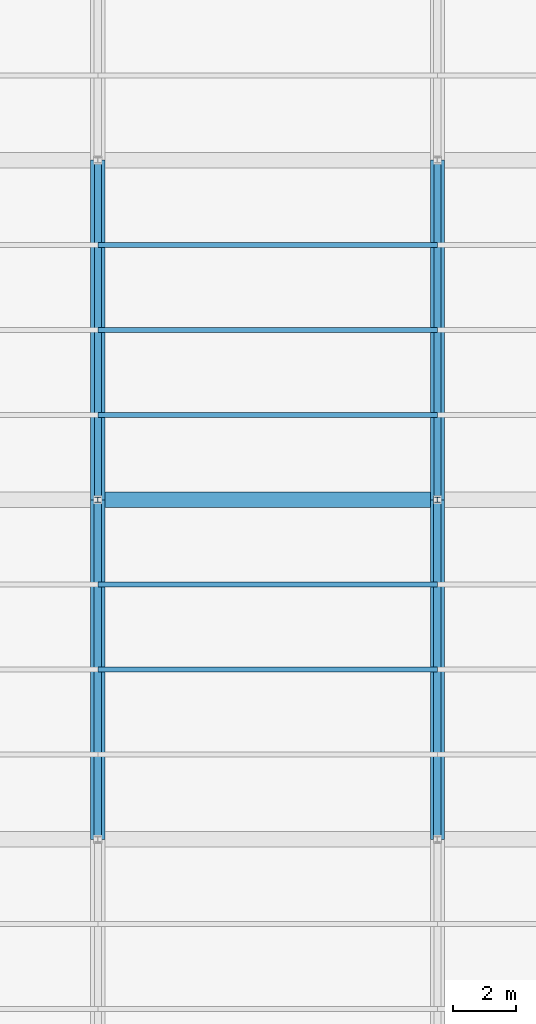
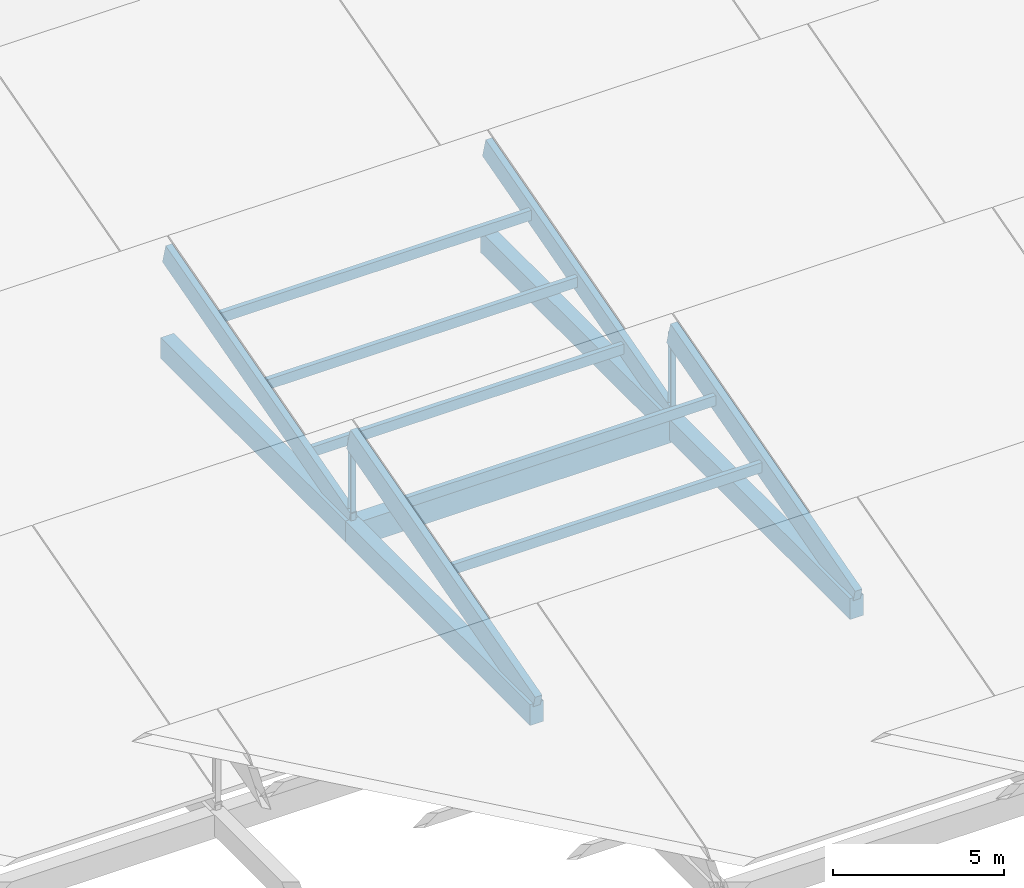
# One storey, part 28 of 112: 11 members, 5 beams.
"""IFC4 building model written with IfcOpenShell, lengths in metres."""

import ifcopenshell
import ifcopenshell.guid

model = None  # the IFC model being written
_history = None  # IfcOwnerHistory: only IFC2X3 demands one
_inside = {}  # id of a spatial element -> (the spatial element, [elements in it])
_under = {}  # id of a project, library or spatial element -> (it, [spatial elements below it])
_declared = {}  # id of a project -> (the project, [libraries it declares])
_typed = {}  # id of a type object -> (the type object, [elements of that type])
_made_of = {}  # id of a material, layer set ... -> (it, [elements and type objects made of it])


def new_model(schema):
    """Start an empty IFC model of exactly this schema.

    Asked for "IFC4X3", IfcOpenShell would pick the latest addendum, in which some entities
    have other attributes; the version numbers below select the first issue.
    IFC2X3 requires an IfcOwnerHistory on every rooted entity: one is made here for all.
    """
    global model, _history
    if schema == "IFC4X3":
        model = ifcopenshell.file(schema_version=(4, 3, 0, 0))
    else:
        model = ifcopenshell.file(schema=schema)
    _inside.clear()
    _under.clear()
    _declared.clear()
    _typed.clear()
    _made_of.clear()
    _history = None
    if model.schema == "IFC2X3":
        org = make("IfcOrganization", Name="unknown")
        user = make(
            "IfcPersonAndOrganization",
            ThePerson=make("IfcPerson", FamilyName="unknown"),
            TheOrganization=org,
        )
        app = make(
            "IfcApplication",
            ApplicationDeveloper=org,
            Version="unknown",
            ApplicationFullName="unknown",
            ApplicationIdentifier="unknown",
        )
        _history = make(
            "IfcOwnerHistory",
            OwningUser=user,
            OwningApplication=app,
            ChangeAction="ADDED",
            CreationDate=0,
        )
    return model


def make(cls, **values):
    """One entity of the class cls with the attributes given. An attribute that is None is left unset."""
    return model.create_entity(
        cls, **{name: value for name, value in values.items() if value is not None}
    )


def rooted(cls, **values):
    """An entity with a GlobalId (a new one), such as an element, a storey or a relation."""
    return make(cls, GlobalId=ifcopenshell.guid.new(), OwnerHistory=_history, **values)


def si_unit(unit_type, name, prefix=None):
    """IfcSIUnit, for example si_unit("LENGTHUNIT", "METRE", prefix="MILLI")."""
    return make("IfcSIUnit", UnitType=unit_type, Prefix=prefix, Name=name)


def assignment(units):
    """IfcUnitAssignment: the units of a project."""
    return None if units is None else make("IfcUnitAssignment", Units=units)


def point(xyz):
    """IfcCartesianPoint."""
    return None if xyz is None else make("IfcCartesianPoint", Coordinates=xyz)


def direction(xyz):
    """IfcDirection."""
    return None if xyz is None else make("IfcDirection", DirectionRatios=xyz)


def frame(location, z_axis=None, x_axis=None):
    """IfcAxis2Placement3D, a coordinate frame: its origin and axes. An axis left out is left unset."""
    return make(
        "IfcAxis2Placement3D",
        Location=point(location),
        Axis=direction(z_axis),
        RefDirection=direction(x_axis),
    )


def frame_2d(location, x_axis=None):
    """IfcAxis2Placement2D, a coordinate frame in the plane: its origin and x axis."""
    return make(
        "IfcAxis2Placement2D", Location=point(location), RefDirection=direction(x_axis)
    )


def origin():
    """The frame at (0, 0, 0) with its axes left unset."""
    return frame((0.0, 0.0, 0.0))


def origin_2d():
    """The frame at (0, 0) in the plane with its x axis left unset."""
    return frame_2d((0.0, 0.0))


def place(relative_to, where):
    """IfcLocalPlacement: puts the frame where relative to a parent placement (None: the world)."""
    return make(
        "IfcLocalPlacement", PlacementRelTo=relative_to, RelativePlacement=where
    )


def context(
    kind, dimensions, precision=None, world=None, true_north=None, identifier=None
):
    """IfcGeometricRepresentationContext, for example the 3D "Model" context."""
    return make(
        "IfcGeometricRepresentationContext",
        ContextIdentifier=identifier,
        ContextType=kind,
        CoordinateSpaceDimension=dimensions,
        Precision=precision,
        WorldCoordinateSystem=world,
        TrueNorth=true_north,
    )


def subcontext(parent, identifier, kind, view, scale=None):
    """IfcGeometricRepresentationSubContext, for example "Body" below "Model"."""
    return make(
        "IfcGeometricRepresentationSubContext",
        ContextIdentifier=identifier,
        ContextType=kind,
        ParentContext=parent,
        TargetScale=scale,
        TargetView=view,
    )


def project(units=None, contexts=None):
    """IfcProject with its units and contexts."""
    return rooted(
        "IfcProject",
        Name="project",
        RepresentationContexts=contexts,
        UnitsInContext=assignment(units),
    )


def spatial(cls, under=None, at=None, **own):
    """A site, building, storey or space (cls), placed at a placement, below another one or the project."""
    s = rooted(cls, ObjectPlacement=at, **own)
    if under is not None:
        _under.setdefault(under.id(), (under, []))[1].append(s)
    return s


def profile(cls, at=None, kind="AREA", **sizes):
    """A parametric profile (cls). Its sizes go by their IFC names, for example OverallWidth=200.0."""
    return make(cls, ProfileType=kind, Position=at, **sizes)


def rectangle(**sizes):
    """IfcRectangleProfileDef."""
    return profile("IfcRectangleProfileDef", **sizes)


def i_section(**sizes):
    """IfcIShapeProfileDef."""
    return profile("IfcIShapeProfileDef", **sizes)


def extrude(swept, where, along, depth):
    """IfcExtrudedAreaSolid: the profile swept, set in the frame where, extruded along a direction by depth."""
    return make(
        "IfcExtrudedAreaSolid",
        SweptArea=swept,
        Position=where,
        ExtrudedDirection=direction(along),
        Depth=depth,
    )


def shape(context_of_items, identifier, shape_type, items):
    """IfcShapeRepresentation: the items that make up one representation, for example the "Body"."""
    return make(
        "IfcShapeRepresentation",
        ContextOfItems=context_of_items,
        RepresentationIdentifier=identifier,
        RepresentationType=shape_type,
        Items=items,
    )


def material(Name=None, Category=None):
    """IfcMaterial."""
    return make("IfcMaterial", Name=Name, Category=Category)


def material_profile(
    of_material, cross_section, Name=None, Category=None, Priority=None
):
    """IfcMaterialProfile: a cross section and its material."""
    return make(
        "IfcMaterialProfile",
        Name=Name,
        Material=of_material,
        Profile=cross_section,
        Priority=Priority,
        Category=Category,
    )


def profile_set(profiles, Name=None, composite=None):
    """IfcMaterialProfileSet."""
    return make(
        "IfcMaterialProfileSet",
        Name=Name,
        MaterialProfiles=profiles,
        CompositeProfile=composite,
    )


def made_of(thing, what):
    """Note that an element or type object is made of a material, layer set ...; save() writes the relation."""
    if what is not None:
        _made_of.setdefault(what.id(), (what, []))[1].append(thing)
    return thing


def type_object(cls, material=None, **own):
    """A type object (cls), such as IfcWallType, which elements share."""
    return made_of(rooted(cls, **own), material)


def element(
    cls,
    number,
    at=None,
    inside=None,
    cuts=None,
    type_object=None,
    material=None,
    context=None,
    identifier="Body",
    shape_type=None,
    held_by="IfcProductDefinitionShape",
    body=None,
    shapes=None,
    **own,
):
    """One element of the class cls, such as IfcWall. Its Tag is "e" and its number.

    at: its placement. inside: the storey or other place that contains it. cuts: it is an
    opening in that element (IfcRelVoidsElement). A single representation is given by context,
    identifier, shape_type and body (its items); several are given by shapes. held_by: the class
    of the entity that holds the representations. save() writes the other relations.
    """
    e = rooted(cls, Tag="e%d" % number, ObjectPlacement=at, **own)
    if body is not None:
        shapes = [shape(context, identifier, shape_type, body)]
    if shapes is not None:
        e.Representation = make(held_by, Representations=shapes)
    if inside is not None:
        _inside.setdefault(inside.id(), (inside, []))[1].append(e)
    if cuts is not None:
        rooted(
            "IfcRelVoidsElement", RelatingBuildingElement=cuts, RelatedOpeningElement=e
        )
    if type_object is not None:
        _typed.setdefault(type_object.id(), (type_object, []))[1].append(e)
    return made_of(e, material)


def aggregate(whole, parts):
    """IfcRelAggregates: a whole, such as a stair, and the parts it consists of."""
    return rooted("IfcRelAggregates", RelatingObject=whole, RelatedObjects=parts)


def save(model, path):
    """Write the relations noted so far, then the file.

    IfcRelAggregates (storeys below a building ...), IfcRelContainedInSpatialStructure (elements
    in a storey), IfcRelDefinesByType, IfcRelAssociatesMaterial and IfcRelDeclares: one each for
    every whole, place, type object, material and project.
    """
    for whole, parts in _under.values():
        aggregate(whole, parts)
    for where, things in _inside.values():
        rooted(
            "IfcRelContainedInSpatialStructure",
            RelatedElements=things,
            RelatingStructure=where,
        )
    for kind, things in _typed.values():
        rooted("IfcRelDefinesByType", RelatedObjects=things, RelatingType=kind)
    for what, things in _made_of.values():
        rooted("IfcRelAssociatesMaterial", RelatedObjects=things, RelatingMaterial=what)
    for by, libraries in _declared.values():
        rooted("IfcRelDeclares", RelatingContext=by, RelatedDefinitions=libraries)
    model.write(path)


model = new_model("IFC4")

# Units and contexts
model_context = context("Model", 3, precision=1e-05, world=origin(), true_north=direction((0.0, 1.0)))
body_context = subcontext(model_context, "Body", "Model", "MODEL_VIEW")
ifc_project = project(units=[si_unit("LENGTHUNIT", "METRE"), si_unit("AREAUNIT", "SQUARE_METRE"), si_unit("VOLUMEUNIT", "CUBIC_METRE"), si_unit("PLANEANGLEUNIT", "RADIAN"), si_unit("MASSUNIT", "GRAM", prefix="KILO")], contexts=[model_context])

# Site, building, storey
site_placement = place(None, origin())
site = spatial("IfcSite", under=ifc_project, at=site_placement, CompositionType="ELEMENT")
building_placement = place(site_placement, origin())
building = spatial("IfcBuilding", under=site, at=building_placement, Name="Zwinboog Wholesale Market", CompositionType="ELEMENT")
storey_placement = place(building_placement, frame((0.0, 0.0, 19.080078125)))
storey = spatial("IfcBuildingStorey", under=building, at=storey_placement, Name="Roof", CompositionType="ELEMENT", Elevation=19.080078125)

# Beams
ifc_material_1 = material(Name="Precast concrete C45/55", Category="concrete")
ifc_material_profile_1 = material_profile(ifc_material_1, rectangle(XDim=0.5, YDim=0.85009765625, at=origin_2d()), Name="PC 500x850")
ifc_profile_set_1 = profile_set([ifc_material_profile_1], Name="Precast concrete C45/55")
beam_type_1 = type_object("IfcBeamType", Name="BT-03", PredefinedType="BEAM", material=ifc_profile_set_1)
beam_1_placement = place(storey_placement, frame((32.39990234375, 86.39990234375, -9.425048828125), z_axis=(1.0, 0.0, 0.0), x_axis=(0.0, 1.0, 0.0)))
element("IfcBeam", 1, at=beam_1_placement, inside=storey, type_object=beam_type_1, Name="BG-03 (BMG-Roof-0324-0864-1182)", PredefinedType="BEAM", context=body_context, shape_type="SweptSolid", body=[
    extrude(rectangle(XDim=0.5, YDim=0.85009765625, at=origin_2d()), origin(), (0.0, 0.0, 1.0), 10.800048828125),
])
ifc_material_profile_2 = material_profile(ifc_material_1, rectangle(XDim=0.449951171875, YDim=0.75, at=origin_2d()), Name="PC 450x750")
ifc_profile_set_2 = profile_set([ifc_material_profile_2], Name="Precast concrete C45/55")
beam_type_2 = type_object("IfcBeamType", Name="BT-04", PredefinedType="BEAM", material=ifc_profile_set_2)
beam_2_placement = place(storey_placement, frame((32.39990234375, 75.60009765625, -9.375), z_axis=(0.0, 1.0, 0.0), x_axis=(-1.0, 0.0, 0.0)))
element("IfcBeam", 2, at=beam_2_placement, inside=storey, type_object=beam_type_2, Name="BG-04 (BMG-Roof-0324-0756-1238)", PredefinedType="BEAM", context=body_context, shape_type="SweptSolid", body=[
    extrude(rectangle(XDim=0.449951171875, YDim=0.75, at=origin_2d()), origin(), (0.0, 0.0, 1.0), 10.7998046875),
])
beam_3_placement = place(storey_placement, frame((32.39990234375, 86.39990234375, -9.375), z_axis=(0.0, 1.0, 0.0), x_axis=(-1.0, 0.0, 0.0)))
element("IfcBeam", 3, at=beam_3_placement, inside=storey, type_object=beam_type_2, Name="BG-04 (BMG-Roof-0324-0864-1239)", PredefinedType="BEAM", context=body_context, shape_type="SweptSolid", body=[
    extrude(rectangle(XDim=0.449951171875, YDim=0.75, at=origin_2d()), origin(), (0.0, 0.0, 1.0), 10.800048828125),
])
beam_4_placement = place(storey_placement, frame((43.199951171875, 75.60009765625, -9.375), z_axis=(0.0, 1.0, 0.0), x_axis=(-1.0, 0.0, 0.0)))
element("IfcBeam", 4, at=beam_4_placement, inside=storey, type_object=beam_type_2, Name="BG-04 (BMG-Roof-0432-0756-1248)", PredefinedType="BEAM", context=body_context, shape_type="SweptSolid", body=[
    extrude(rectangle(XDim=0.449951171875, YDim=0.75, at=origin_2d()), origin(), (0.0, 0.0, 1.0), 10.7998046875),
])
beam_5_placement = place(storey_placement, frame((43.199951171875, 86.39990234375, -9.375), z_axis=(0.0, 1.0, 0.0), x_axis=(-1.0, 0.0, 0.0)))
element("IfcBeam", 5, at=beam_5_placement, inside=storey, type_object=beam_type_2, Name="BG-04 (BMG-Roof-0432-0864-1249)", PredefinedType="BEAM", context=body_context, shape_type="SweptSolid", body=[
    extrude(rectangle(XDim=0.449951171875, YDim=0.75, at=origin_2d()), origin(), (0.0, 0.0, 1.0), 10.800048828125),
])

# Members
ifc_material_2 = material(Name="Steel S355", Category="steel")
ifc_material_profile_3 = material_profile(ifc_material_2, i_section(OverallWidth=0.179931640625, OverallDepth=0.1708984375, WebThickness=0.006103515625, FlangeThickness=0.009521484375, FilletRadius=0.014892578125, at=origin_2d()), Name="HEA 180")
ifc_profile_set_3 = profile_set([ifc_material_profile_3], Name="Steel S355")
member_type_1 = type_object("IfcMemberType", Name="MT-07", PredefinedType="BRACE", material=ifc_profile_set_3)
for number, where, z_axis, x_axis, name in (
    (6, (32.39990234375, 86.39990234375, -9.2001953125), (0.0, 0.0, 1.0), (1.0, 0.0, 0.0), "DB-04 (MEM-Roof-0804)"),
    (7, (43.199951171875, 86.39990234375, -9.2001953125), (0.0, 0.0, 1.0), (1.0, 0.0, 0.0), "DB-04 (MEM-Roof-0806)"),
):
    element("IfcMember", number, at=place(storey_placement, frame(where, z_axis=z_axis, x_axis=x_axis)), inside=storey, type_object=member_type_1, Name=name, PredefinedType="BRACE", context=body_context, shape_type="SweptSolid", body=[
        extrude(i_section(OverallWidth=0.179931640625, OverallDepth=0.1708984375, WebThickness=0.006103515625, FlangeThickness=0.009521484375, FilletRadius=0.014892578125, at=origin_2d()), origin(), (0.0, 0.0, 1.0), 3.0869140625),
    ])
ifc_material_3 = material(Name="Glulam GL28h", Category="wood")
ifc_material_profile_4 = material_profile(ifc_material_3, rectangle(XDim=0.239990234375, YDim=0.840087890625, at=origin_2d()), Name="GL28h 240x840")
ifc_profile_set_4 = profile_set([ifc_material_profile_4], Name="Glulam GL28h")
member_type_2 = type_object("IfcMemberType", Name="MT-09", PredefinedType="RAFTER", material=ifc_profile_set_4)
for number, where, z_axis, x_axis, name in (
    (8, (32.39990234375, 75.60009765625, -9.11328125), (0.0, 0.963516661409, 0.267648357342), (-1.0, 0.0, 0.0), "GR-01 (MEM-Roof-0805)"),
    (9, (43.199951171875, 75.60009765625, -9.11328125), (0.0, 0.963516661409, 0.267648357342), (-1.0, 0.0, 0.0), "GR-01 (MEM-Roof-0807)"),
):
    element("IfcMember", number, at=place(storey_placement, frame(where, z_axis=z_axis, x_axis=x_axis)), inside=storey, type_object=member_type_2, Name=name, PredefinedType="RAFTER", context=body_context, shape_type="SweptSolid", body=[
        extrude(rectangle(XDim=0.239990234375, YDim=0.840087890625, at=origin_2d()), origin(), (0.0, 0.0, 1.0), 11.208740234375),
    ])
ifc_material_profile_5 = material_profile(ifc_material_3, rectangle(XDim=0.219970703125, YDim=0.719970703125, at=origin_2d()), Name="GL28h 220x720")
ifc_profile_set_5 = profile_set([ifc_material_profile_5], Name="Glulam GL28h")
member_type_3 = type_object("IfcMemberType", Name="MT-10", PredefinedType="RAFTER", material=ifc_profile_set_5)
for number, where, z_axis, x_axis, name in (
    (10, (32.39990234375, 86.39990234375, -9.05322265625), (0.0, 0.963518221675, 0.26764274042), (-1.0, 0.0, 0.0), "GR-02 (MEM-Roof-0823)"),
    (11, (43.199951171875, 86.39990234375, -9.05322265625), (0.0, 0.963518221675, 0.26764274042), (-1.0, 0.0, 0.0), "GR-02 (MEM-Roof-0825)"),
):
    element("IfcMember", number, at=place(storey_placement, frame(where, z_axis=z_axis, x_axis=x_axis)), inside=storey, type_object=member_type_3, Name=name, PredefinedType="RAFTER", context=body_context, shape_type="SweptSolid", body=[
        extrude(rectangle(XDim=0.219970703125, YDim=0.719970703125, at=origin_2d()), origin(), (0.0, 0.0, 1.0), 11.208984375),
    ])
ifc_material_profile_6 = material_profile(ifc_material_3, rectangle(XDim=0.159912109375, YDim=0.360107421875, at=origin_2d()), Name="GL28h 160x360")
ifc_profile_set_6 = profile_set([ifc_material_profile_6], Name="Glulam GL28h")
member_type_4 = type_object("IfcMemberType", Name="MT-12", PredefinedType="PURLIN", material=ifc_profile_set_6)
for number, where, z_axis, x_axis, name in (
    (12, (32.39990234375, 83.699951171875, -6.833251953125), (1.0, 0.0, 0.0), (0.0, 1.0, 0.0), "GP-01 (MEM-Roof-0809)"),
    (13, (32.39990234375, 89.10009765625, -8.273193359375), (1.0, 0.0, 0.0), (0.0, 1.0, 0.0), "GP-01 (MEM-Roof-0826)"),
    (14, (32.39990234375, 94.5, -6.773193359375), (1.0, 0.0, 0.0), (0.0, 1.0, 0.0), "GP-01 (MEM-Roof-0827)"),
    (15, (32.39990234375, 81.0, -7.583251953125), (1.0, 0.0, 0.0), (0.0, 1.0, 0.0), "GP-01 (MEM-PRL-Roof-0032)"),
    (16, (32.39990234375, 91.800048828125, -7.523193359375), (1.0, 0.0, 0.0), (0.0, 1.0, 0.0), "GP-01 (MEM-PRL-Roof-0036)"),
):
    element("IfcMember", number, at=place(storey_placement, frame(where, z_axis=z_axis, x_axis=x_axis)), inside=storey, type_object=member_type_4, Name=name, PredefinedType="PURLIN", context=body_context, shape_type="SweptSolid", body=[
        extrude(rectangle(XDim=0.159912109375, YDim=0.360107421875, at=origin_2d()), origin(), (0.0, 0.0, 1.0), 10.800048828125),
    ])

save(model, "model.ifc")
